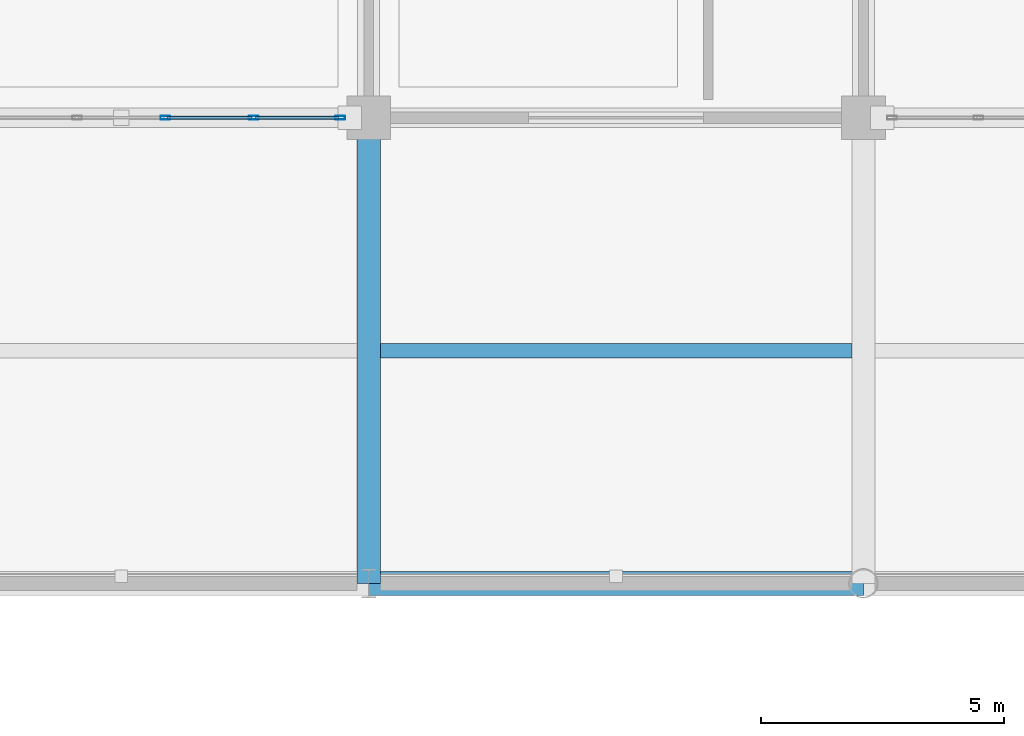
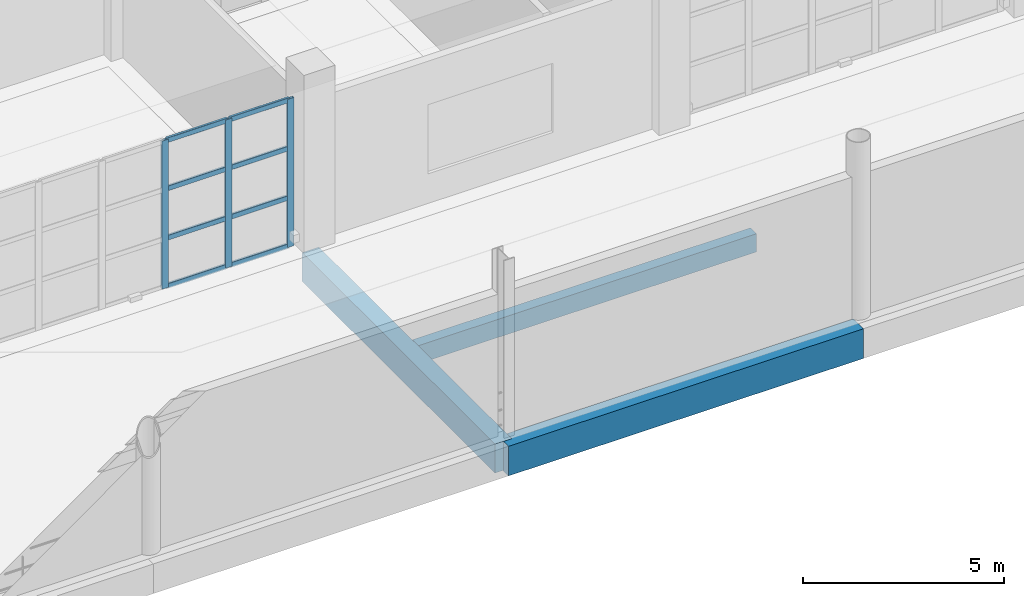
# One storey, part 37 of 175: 11 members, 3 beams, 1 element without a shape of its own.
"""IFC4 building model written with IfcOpenShell, lengths in metres."""

from ifc_helpers import new_model, si_unit, direction, frame, origin, origin_2d, place, context, subcontext, project, spatial, rectangle, hollow_rectangle, extrude, material, material_profile, profile_set, type_object, element, aggregate, save


model = new_model("IFC4")

# Units and contexts
model_context = context("Model", 3, precision=1e-05, world=origin(), true_north=direction((0.0, 1.0)))
body_context = subcontext(model_context, "Body", "Model", "MODEL_VIEW")
ifc_project = project(units=[si_unit("LENGTHUNIT", "METRE"), si_unit("AREAUNIT", "SQUARE_METRE"), si_unit("VOLUMEUNIT", "CUBIC_METRE"), si_unit("PLANEANGLEUNIT", "RADIAN"), si_unit("MASSUNIT", "GRAM", prefix="KILO")], contexts=[model_context])

# Site, building, storey
site_placement = place(None, origin())
site = spatial("IfcSite", under=ifc_project, at=site_placement, CompositionType="ELEMENT")
building_placement = place(site_placement, origin())
building = spatial("IfcBuilding", under=site, at=building_placement, Name="Brelvane Convention Centre", CompositionType="ELEMENT")
storey_placement = place(building_placement, frame((0.0, 0.0, 5.39990234375)))
storey = spatial("IfcBuildingStorey", under=building, at=storey_placement, Name="L01", CompositionType="ELEMENT", Elevation=5.39990234375)

# Curtain wall, members
ifc_material_1 = material(Name="Anodised Aluminium Alloy 6063-T6", Category="aluminium")
curtain_wall_type = type_object("IfcCurtainWallType", Name="Curtain Wall CW-COURT", PredefinedType="USERDEFINED", material=ifc_material_1)
curtain_wall_placement = place(storey_placement, origin())
curtain_wall = element("IfcCurtainWall", 1, at=curtain_wall_placement, inside=storey, type_object=curtain_wall_type, Name="Curtain Wall CW-COURT L01-V4S-05", ObjectType="UNITISED", PredefinedType="USERDEFINED")
ifc_material_2 = material(Name="Anodised Aluminium Alloy 6063-T6", Category="aluminium")
ifc_material_profile_1 = material_profile(ifc_material_2, hollow_rectangle(XDim=0.074951171875, YDim=0.199951171875, WallThickness=0.0048828125, InnerFilletRadius=0.0048828125, OuterFilletRadius=0.010009765625, at=origin_2d()), Name="ALU-M 200x75x5.0")
ifc_profile_set_1 = profile_set([ifc_material_profile_1], Name="Anodised Aluminium Alloy 6063-T6")
member_type_1 = type_object("IfcMemberType", Name="Curtain Mullion CW-M2", PredefinedType="MULLION", material=ifc_profile_set_1)
member_1_placement = place(storey_placement, frame((46.81005859375, 109.199951171875, 0.0), z_axis=(0.0, 0.0, 1.0), x_axis=(0.0, 1.0, 0.0)))
member_1 = element("IfcMember", 2, at=member_1_placement, type_object=member_type_1, Name="CW-COURT mullion 4", PredefinedType="MULLION", context=body_context, shape_type="SweptSolid", body=[
    extrude(hollow_rectangle(XDim=0.074951171875, YDim=0.199951171875, WallThickness=0.0048828125, InnerFilletRadius=0.0048828125, OuterFilletRadius=0.010009765625, at=origin_2d()), origin(), (0.0, 0.0, 1.0), 4.5),
])
member_2_placement = place(storey_placement, frame((48.6298828125, 109.199951171875, 0.0), z_axis=(0.0, 0.0, 1.0), x_axis=(0.0, 1.0, 0.0)))
member_2 = element("IfcMember", 3, at=member_2_placement, type_object=member_type_1, Name="CW-COURT mullion 5", PredefinedType="MULLION", context=body_context, shape_type="SweptSolid", body=[
    extrude(hollow_rectangle(XDim=0.074951171875, YDim=0.199951171875, WallThickness=0.0048828125, InnerFilletRadius=0.0048828125, OuterFilletRadius=0.010009765625, at=origin_2d()), origin(), (0.0, 0.0, 1.0), 4.5),
])
member_3_placement = place(storey_placement, frame((50.41259765625, 109.199951171875, 0.0), z_axis=(0.0, 0.0, 1.0), x_axis=(0.0, 1.0, 0.0)))
member_3 = element("IfcMember", 4, at=member_3_placement, type_object=member_type_1, Name="CW-COURT mullion 6", PredefinedType="MULLION", context=body_context, shape_type="SweptSolid", body=[
    extrude(hollow_rectangle(XDim=0.074951171875, YDim=0.199951171875, WallThickness=0.0048828125, InnerFilletRadius=0.0048828125, OuterFilletRadius=0.010009765625, at=origin_2d()), origin(), (0.0, 0.0, 1.0), 4.5),
])
ifc_material_3 = material(Name="Anodised Aluminium Alloy 6063-T6", Category="aluminium")
ifc_material_profile_2 = material_profile(ifc_material_3, hollow_rectangle(XDim=0.070068359375, YDim=0.14990234375, WallThickness=0.00439453125, InnerFilletRadius=0.00439453125, OuterFilletRadius=0.009033203125, at=origin_2d()), Name="ALU-T 150x70x4.5")
ifc_profile_set_2 = profile_set([ifc_material_profile_2], Name="Anodised Aluminium Alloy 6063-T6")
member_type_2 = type_object("IfcMemberType", Name="Curtain Transom CW-T2", PredefinedType="USERDEFINED", material=ifc_profile_set_2)
member_4_placement = place(storey_placement, frame((46.847412109375, 109.199951171875, 0.03515625), z_axis=(1.0, 0.0, 0.0), x_axis=(0.0, 1.0, 0.0)))
member_4 = element("IfcMember", 5, at=member_4_placement, type_object=member_type_2, Name="CW-COURT transom 4.1", ObjectType="TRANSOM", PredefinedType="USERDEFINED", context=body_context, shape_type="SweptSolid", body=[
    extrude(hollow_rectangle(XDim=0.070068359375, YDim=0.14990234375, WallThickness=0.00439453125, InnerFilletRadius=0.00439453125, OuterFilletRadius=0.009033203125, at=origin_2d()), origin(), (0.0, 0.0, 1.0), 1.7451171875),
])
member_5_placement = place(storey_placement, frame((46.847412109375, 109.199951171875, 1.5), z_axis=(1.0, 0.0, 0.0), x_axis=(0.0, 1.0, 0.0)))
member_5 = element("IfcMember", 6, at=member_5_placement, type_object=member_type_2, Name="CW-COURT transom 4.2", ObjectType="TRANSOM", PredefinedType="USERDEFINED", context=body_context, shape_type="SweptSolid", body=[
    extrude(hollow_rectangle(XDim=0.070068359375, YDim=0.14990234375, WallThickness=0.00439453125, InnerFilletRadius=0.00439453125, OuterFilletRadius=0.009033203125, at=origin_2d()), origin(), (0.0, 0.0, 1.0), 1.7451171875),
])
member_6_placement = place(storey_placement, frame((46.847412109375, 109.199951171875, 3.0), z_axis=(1.0, 0.0, 0.0), x_axis=(0.0, 1.0, 0.0)))
member_6 = element("IfcMember", 7, at=member_6_placement, type_object=member_type_2, Name="CW-COURT transom 4.3", ObjectType="TRANSOM", PredefinedType="USERDEFINED", context=body_context, shape_type="SweptSolid", body=[
    extrude(hollow_rectangle(XDim=0.070068359375, YDim=0.14990234375, WallThickness=0.00439453125, InnerFilletRadius=0.00439453125, OuterFilletRadius=0.009033203125, at=origin_2d()), origin(), (0.0, 0.0, 1.0), 1.7451171875),
])
member_7_placement = place(storey_placement, frame((46.847412109375, 109.199951171875, 4.465087890625), z_axis=(1.0, 0.0, 0.0), x_axis=(0.0, 1.0, 0.0)))
member_7 = element("IfcMember", 8, at=member_7_placement, type_object=member_type_2, Name="CW-COURT transom 4.4", ObjectType="TRANSOM", PredefinedType="USERDEFINED", context=body_context, shape_type="SweptSolid", body=[
    extrude(hollow_rectangle(XDim=0.070068359375, YDim=0.14990234375, WallThickness=0.00439453125, InnerFilletRadius=0.00439453125, OuterFilletRadius=0.009033203125, at=origin_2d()), origin(), (0.0, 0.0, 1.0), 1.7451171875),
])
member_8_placement = place(storey_placement, frame((48.66748046875, 109.199951171875, 0.03515625), z_axis=(1.0, 0.0, 0.0), x_axis=(0.0, 1.0, 0.0)))
member_8 = element("IfcMember", 9, at=member_8_placement, type_object=member_type_2, Name="CW-COURT transom 5.1", ObjectType="TRANSOM", PredefinedType="USERDEFINED", context=body_context, shape_type="SweptSolid", body=[
    extrude(hollow_rectangle(XDim=0.070068359375, YDim=0.14990234375, WallThickness=0.00439453125, InnerFilletRadius=0.00439453125, OuterFilletRadius=0.009033203125, at=origin_2d()), origin(), (0.0, 0.0, 1.0), 1.70751953125),
])
member_9_placement = place(storey_placement, frame((48.66748046875, 109.199951171875, 1.5), z_axis=(1.0, 0.0, 0.0), x_axis=(0.0, 1.0, 0.0)))
member_9 = element("IfcMember", 10, at=member_9_placement, type_object=member_type_2, Name="CW-COURT transom 5.2", ObjectType="TRANSOM", PredefinedType="USERDEFINED", context=body_context, shape_type="SweptSolid", body=[
    extrude(hollow_rectangle(XDim=0.070068359375, YDim=0.14990234375, WallThickness=0.00439453125, InnerFilletRadius=0.00439453125, OuterFilletRadius=0.009033203125, at=origin_2d()), origin(), (0.0, 0.0, 1.0), 1.70751953125),
])
member_10_placement = place(storey_placement, frame((48.66748046875, 109.199951171875, 3.0), z_axis=(1.0, 0.0, 0.0), x_axis=(0.0, 1.0, 0.0)))
member_10 = element("IfcMember", 11, at=member_10_placement, type_object=member_type_2, Name="CW-COURT transom 5.3", ObjectType="TRANSOM", PredefinedType="USERDEFINED", context=body_context, shape_type="SweptSolid", body=[
    extrude(hollow_rectangle(XDim=0.070068359375, YDim=0.14990234375, WallThickness=0.00439453125, InnerFilletRadius=0.00439453125, OuterFilletRadius=0.009033203125, at=origin_2d()), origin(), (0.0, 0.0, 1.0), 1.70751953125),
])
member_11_placement = place(storey_placement, frame((48.66748046875, 109.199951171875, 4.465087890625), z_axis=(1.0, 0.0, 0.0), x_axis=(0.0, 1.0, 0.0)))
member_11 = element("IfcMember", 12, at=member_11_placement, type_object=member_type_2, Name="CW-COURT transom 5.4", ObjectType="TRANSOM", PredefinedType="USERDEFINED", context=body_context, shape_type="SweptSolid", body=[
    extrude(hollow_rectangle(XDim=0.070068359375, YDim=0.14990234375, WallThickness=0.00439453125, InnerFilletRadius=0.00439453125, OuterFilletRadius=0.009033203125, at=origin_2d()), origin(), (0.0, 0.0, 1.0), 1.70751953125),
])
aggregate(curtain_wall, [member_1, member_2, member_3, member_4, member_5, member_6, member_7, member_8, member_9, member_10, member_11])

# Beams
ifc_material_4 = material(Name="Concrete M40", Category="concrete")
ifc_material_profile_3 = material_profile(ifc_material_4, rectangle(XDim=0.47998046875, YDim=0.8798828125, at=origin_2d()), Name="RC 480x880")
ifc_profile_set_3 = profile_set([ifc_material_profile_3], Name="Concrete M40")
beam_type_1 = type_object("IfcBeamType", Name="RC Beam B-RC10 (RC 480x880)", PredefinedType="BEAM", material=ifc_profile_set_3)
beam_1_placement = place(storey_placement, frame((51.0, 99.60009765625, -0.760009765625), z_axis=(0.0, 1.0, 0.0), x_axis=(-1.0, 0.0, 0.0)))
element("IfcBeam", 13, at=beam_1_placement, inside=storey, type_object=beam_type_1, Name="L01 Girder 6/K-L", PredefinedType="BEAM", context=body_context, shape_type="SweptSolid", body=[
    extrude(rectangle(XDim=0.47998046875, YDim=0.8798828125, at=origin_2d()), origin(), (0.0, 0.0, 1.0), 9.599853515625),
])
ifc_material_5 = material(Name="Concrete M40", Category="concrete")
ifc_material_profile_4 = material_profile(ifc_material_5, rectangle(XDim=0.5, YDim=0.89990234375, at=origin_2d()), Name="RC 500x900")
ifc_profile_set_4 = profile_set([ifc_material_profile_4], Name="Concrete M40")
beam_type_2 = type_object("IfcBeamType", Name="RC Beam B-RC4 (RC 500x900)", PredefinedType="BEAM", material=ifc_profile_set_4)
beam_2_placement = place(storey_placement, frame((51.0, 99.60009765625, -0.77001953125), z_axis=(1.0, 0.0, 0.0), x_axis=(0.0, 1.0, 0.0)))
element("IfcBeam", 14, at=beam_2_placement, inside=storey, type_object=beam_type_2, Name="L01 Beam 6-7/K", PredefinedType="BEAM", context=body_context, shape_type="SweptSolid", body=[
    extrude(rectangle(XDim=0.5, YDim=0.89990234375, at=origin_2d()), origin(), (0.0, 0.0, 1.0), 10.199951171875),
])
ifc_material_6 = material(Name="Concrete M40", Category="concrete")
ifc_material_profile_5 = material_profile(ifc_material_6, rectangle(XDim=0.300048828125, YDim=0.550048828125, at=origin_2d()), Name="RC 300x550")
ifc_profile_set_5 = profile_set([ifc_material_profile_5], Name="Concrete M40")
beam_type_3 = type_object("IfcBeamType", Name="RC Joist J-RC1 (RC 300x550)", PredefinedType="JOIST", material=ifc_profile_set_5)
beam_3_placement = place(storey_placement, frame((51.239990234375, 104.39990234375, -0.594970703125), z_axis=(1.0, 0.0, 0.0), x_axis=(0.0, 1.0, 0.0)))
element("IfcBeam", 15, at=beam_3_placement, inside=storey, type_object=beam_type_3, Name="L01 Secondary Joist 6-7/KL", PredefinedType="JOIST", context=body_context, shape_type="SweptSolid", body=[
    extrude(rectangle(XDim=0.300048828125, YDim=0.550048828125, at=origin_2d()), origin(), (0.0, 0.0, 1.0), 9.719970703125),
])

save(model, "model.ifc")
